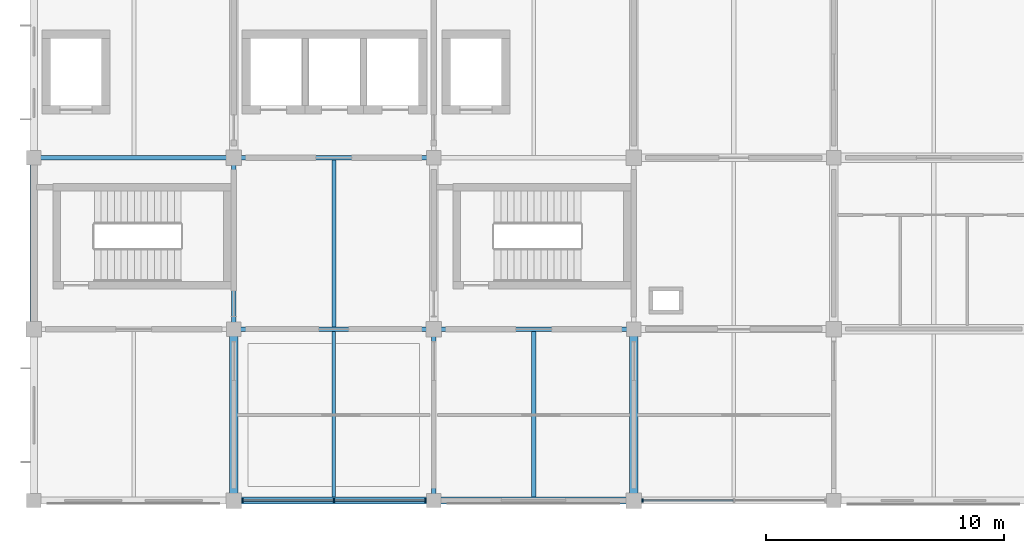
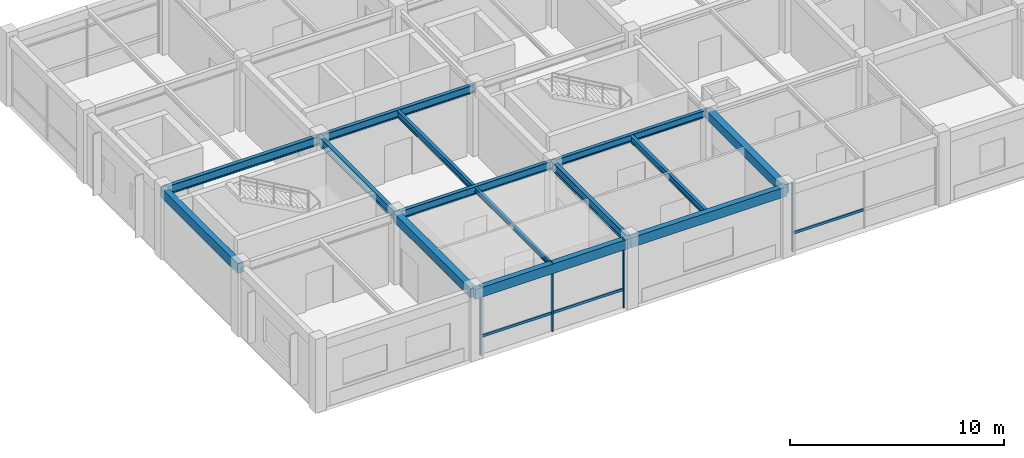
# One storey, part 2 of 13: 14 beams, 7 members, 2 elements without a shape of their own.
"""IFC4 building model written with IfcOpenShell, lengths in metres."""

from ifc_helpers import new_model, si_unit, derived_unit, direction, frame, origin, origin_2d, place, context, subcontext, project, spatial, rectangle, i_section, extrude, material, material_profile, profile_set, type_object, element, aggregate, save


model = new_model("IFC4")

# Units and contexts
model_context = context("Model", 3, precision=1e-05, world=origin(), true_north=direction((0.0, 1.0)))
body_context = subcontext(model_context, "Body", "Model", "MODEL_VIEW")
ifc_project = project(units=[si_unit("LENGTHUNIT", "METRE"), si_unit("AREAUNIT", "SQUARE_METRE"), si_unit("VOLUMEUNIT", "CUBIC_METRE"), si_unit("PLANEANGLEUNIT", "RADIAN"), si_unit("MASSUNIT", "GRAM", prefix="KILO"), derived_unit("THERMALTRANSMITTANCEUNIT", [(si_unit("MASSUNIT", "GRAM", prefix="KILO"), 1), (si_unit("TIMEUNIT", "SECOND"), -3), (si_unit("THERMODYNAMICTEMPERATUREUNIT", "KELVIN"), -1)])], contexts=[model_context])

# Site, building, storey
site_placement = place(None, origin())
site = spatial("IfcSite", under=ifc_project, at=site_placement, CompositionType="ELEMENT")
building_placement = place(site_placement, origin())
building = spatial("IfcBuilding", under=site, at=building_placement, Name="Veldstrom Oceanarium and Marine Research Institute", CompositionType="ELEMENT")
storey_placement = place(building_placement, frame((0.0, 0.0, 52.199951171875)))
storey = spatial("IfcBuildingStorey", under=building, at=storey_placement, Name="L11", CompositionType="ELEMENT", Elevation=52.199951171875)

# Curtain wall, members
ifc_material_1 = material(Name="Anodised Aluminium Framing", Category="aluminium")
curtain_wall_type = type_object("IfcCurtainWallType", Name="ARC-CW-CW04", PredefinedType="USERDEFINED", material=ifc_material_1)
curtain_wall_1_placement = place(storey_placement, origin())
curtain_wall_1 = element("IfcCurtainWall", 1, at=curtain_wall_1_placement, inside=storey, type_object=curtain_wall_type, Name="Curtain Wall CW04 CW-L11-153", ObjectType="Curtain wall", PredefinedType="USERDEFINED")
ifc_material_2 = material(Name="Anodised Aluminium Framing", Category="aluminium")
ifc_material_profile_1 = material_profile(ifc_material_2, rectangle(XDim=0.06494140625, YDim=0.14990234375, at=origin_2d()), Name="ALU-MUL-65x150")
ifc_profile_set_1 = profile_set([ifc_material_profile_1], Name="Anodised Aluminium Framing")
member_type_1 = type_object("IfcMemberType", Name="ARC-MUL-ML2", PredefinedType="MULLION", material=ifc_profile_set_1)
member_1_placement = place(storey_placement, frame((84.364990234375, 43.199951171875, 0.0), z_axis=(0.0, 0.0, 1.0), x_axis=(1.0, 0.0, 0.0)))
member_1 = element("IfcMember", 2, at=member_1_placement, type_object=member_type_1, Name="Curtain Wall Mullion CW-L11-153-MUL-1", PredefinedType="MULLION", context=body_context, shape_type="SweptSolid", body=[
    extrude(rectangle(XDim=0.06494140625, YDim=0.14990234375, at=origin_2d()), origin(), (0.0, 0.0, 1.0), 3.920166015625),
])
member_2_placement = place(storey_placement, frame((88.21240234375, 43.199951171875, 0.0), z_axis=(0.0, 0.0, 1.0), x_axis=(1.0, 0.0, 0.0)))
member_2 = element("IfcMember", 3, at=member_2_placement, type_object=member_type_1, Name="Curtain Wall Mullion CW-L11-153-MUL-2", PredefinedType="MULLION", context=body_context, shape_type="SweptSolid", body=[
    extrude(rectangle(XDim=0.06494140625, YDim=0.14990234375, at=origin_2d()), origin(), (0.0, 0.0, 1.0), 3.920166015625),
])
member_3_placement = place(storey_placement, frame((92.06005859375, 43.199951171875, 0.0), z_axis=(0.0, 0.0, 1.0), x_axis=(1.0, 0.0, 0.0)))
member_3 = element("IfcMember", 4, at=member_3_placement, type_object=member_type_1, Name="Curtain Wall Mullion CW-L11-153-MUL-3", PredefinedType="MULLION", context=body_context, shape_type="SweptSolid", body=[
    extrude(rectangle(XDim=0.06494140625, YDim=0.14990234375, at=origin_2d()), origin(), (0.0, 0.0, 1.0), 3.920166015625),
])

# Curtain wall, member
curtain_wall_2_placement = place(storey_placement, origin())
curtain_wall_2 = element("IfcCurtainWall", 5, at=curtain_wall_2_placement, inside=storey, type_object=curtain_wall_type, Name="Curtain Wall CW04 CW-L11-155", ObjectType="Curtain wall", PredefinedType="USERDEFINED")
member_4_placement = place(storey_placement, frame((101.1650390625, 43.199951171875, 0.0), z_axis=(0.0, 0.0, 1.0), x_axis=(1.0, 0.0, 0.0)))
member_4 = element("IfcMember", 6, at=member_4_placement, type_object=member_type_1, Name="Curtain Wall Mullion CW-L11-155-MUL-1", PredefinedType="MULLION", context=body_context, shape_type="SweptSolid", body=[
    extrude(rectangle(XDim=0.06494140625, YDim=0.14990234375, at=origin_2d()), origin(), (0.0, 0.0, 1.0), 3.920166015625),
])

# Member
ifc_material_3 = material(Name="Anodised Aluminium Framing", Category="aluminium")
ifc_material_profile_2 = material_profile(ifc_material_3, rectangle(XDim=0.074951171875, YDim=0.14990234375, at=origin_2d()), Name="ALU-TRN-75x150")
ifc_profile_set_2 = profile_set([ifc_material_profile_2], Name="Anodised Aluminium Framing")
member_type_2 = type_object("IfcMemberType", Name="ARC-TRN-TR1", PredefinedType="USERDEFINED", material=ifc_profile_set_2)
member_5_placement = place(storey_placement, frame((84.405029296875, 43.199951171875, 1.050048828125), z_axis=(1.0, 0.0, 0.0), x_axis=(0.0, 1.0, 0.0)))
member_5 = element("IfcMember", 7, at=member_5_placement, type_object=member_type_2, Name="Curtain Wall Transom CW-L11-153-TRN-1", ObjectType="Transom", PredefinedType="USERDEFINED", context=body_context, shape_type="SweptSolid", body=[
    extrude(rectangle(XDim=0.074951171875, YDim=0.14990234375, at=origin_2d()), origin(), (0.0, 0.0, 1.0), 3.767578125),
])

member_6_placement = place(storey_placement, frame((88.25244140625, 43.199951171875, 1.050048828125), z_axis=(1.0, 0.0, 0.0), x_axis=(0.0, 1.0, 0.0)))
member_6 = element("IfcMember", 8, at=member_6_placement, type_object=member_type_2, Name="Curtain Wall Transom CW-L11-153-TRN-2", ObjectType="Transom", PredefinedType="USERDEFINED", context=body_context, shape_type="SweptSolid", body=[
    extrude(rectangle(XDim=0.074951171875, YDim=0.14990234375, at=origin_2d()), origin(), (0.0, 0.0, 1.0), 3.767578125),
])

aggregate(curtain_wall_1, [member_1, member_2, member_3, member_5, member_6])

member_7_placement = place(storey_placement, frame((101.205078125, 43.199951171875, 1.050048828125), z_axis=(1.0, 0.0, 0.0), x_axis=(0.0, 1.0, 0.0)))
member_7 = element("IfcMember", 9, at=member_7_placement, type_object=member_type_2, Name="Curtain Wall Transom CW-L11-155-TRN-1", ObjectType="Transom", PredefinedType="USERDEFINED", context=body_context, shape_type="SweptSolid", body=[
    extrude(rectangle(XDim=0.074951171875, YDim=0.14990234375, at=origin_2d()), origin(), (0.0, 0.0, 1.0), 3.767333984375),
])

aggregate(curtain_wall_2, [member_4, member_7])

# Beams
ifc_material_4 = material(Name="Concrete C40/50", Category="concrete")
ifc_material_profile_3 = material_profile(ifc_material_4, rectangle(XDim=0.35009765625, YDim=0.5, at=origin_2d()), Name="RC-BM-350x500")
ifc_profile_set_3 = profile_set([ifc_material_profile_3], Name="Concrete C40/50")
beam_type_1 = type_object("IfcBeamType", Name="STR-BM-B08", PredefinedType="BEAM", material=ifc_profile_set_3)
for number, where, z_axis, x_axis, name in (
    (10, (84.0, 43.199951171875, 3.6650390625), (0.0, 1.0, 0.0), (-1.0, 0.0, 0.0), "Primary Beam B08 L11-2633"),
    (11, (100.800048828125, 43.199951171875, 3.6650390625), (0.0, 1.0, 0.0), (-1.0, 0.0, 0.0), "Primary Beam B08 L11-2641"),
):
    element("IfcBeam", number, at=place(storey_placement, frame(where, z_axis=z_axis, x_axis=x_axis)), inside=storey, type_object=beam_type_1, Name=name, PredefinedType="BEAM", context=body_context, shape_type="SweptSolid", body=[
        extrude(rectangle(XDim=0.35009765625, YDim=0.5, at=origin_2d()), origin(), (0.0, 0.0, 1.0), 7.199951171875),
    ])
ifc_material_5 = material(Name="Steel S355JR", Category="steel")
ifc_material_profile_4 = material_profile(ifc_material_5, i_section(OverallWidth=0.199951171875, OverallDepth=0.5, WebThickness=0.01025390625, FlangeThickness=0.01611328125, FilletRadius=0.02099609375, at=origin_2d()), Name="IPE 500")
ifc_profile_set_4 = profile_set([ifc_material_profile_4], Name="Steel S355JR")
beam_type_2 = type_object("IfcBeamType", Name="STR-BM-SB6", PredefinedType="BEAM", material=ifc_profile_set_4)
beam_1_placement = place(storey_placement, frame((75.60009765625, 57.60009765625, 3.6650390625), z_axis=(1.0, 0.0, 0.0), x_axis=(0.0, 1.0, 0.0)))
element("IfcBeam", 12, at=beam_1_placement, inside=storey, type_object=beam_type_2, Name="Steel Floor Girder SB6 L11-2607", PredefinedType="BEAM", context=body_context, shape_type="SweptSolid", body=[
    extrude(i_section(OverallWidth=0.199951171875, OverallDepth=0.5, WebThickness=0.01025390625, FlangeThickness=0.01611328125, FilletRadius=0.02099609375, at=origin_2d()), origin(), (0.0, 0.0, 1.0), 8.39990234375),
])
beam_2_placement = place(storey_placement, frame((84.0, 50.39990234375, 3.6650390625), z_axis=(0.0, 1.0, 0.0), x_axis=(-1.0, 0.0, 0.0)))
element("IfcBeam", 13, at=beam_2_placement, inside=storey, type_object=beam_type_2, Name="Steel Tie Beam SB6 L11-2634", PredefinedType="BEAM", context=body_context, shape_type="SweptSolid", body=[
    extrude(i_section(OverallWidth=0.199951171875, OverallDepth=0.5, WebThickness=0.01025390625, FlangeThickness=0.01611328125, FilletRadius=0.02099609375, at=origin_2d()), origin(), (0.0, 0.0, 1.0), 7.2001953125),
])
beam_3_placement = place(storey_placement, frame((92.39990234375, 43.199951171875, 3.6650390625), z_axis=(0.0, 1.0, 0.0), x_axis=(-1.0, 0.0, 0.0)))
element("IfcBeam", 14, at=beam_3_placement, inside=storey, type_object=beam_type_2, Name="Steel Tie Beam SB6 L11-2637", PredefinedType="BEAM", context=body_context, shape_type="SweptSolid", body=[
    extrude(i_section(OverallWidth=0.199951171875, OverallDepth=0.5, WebThickness=0.01025390625, FlangeThickness=0.01611328125, FilletRadius=0.02099609375, at=origin_2d()), origin(), (0.0, 0.0, 1.0), 7.199951171875),
])
ifc_material_6 = material(Name="Steel S355JR", Category="steel")
ifc_material_profile_5 = material_profile(ifc_material_6, i_section(OverallWidth=0.18994140625, OverallDepth=0.449951171875, WebThickness=0.009521484375, FlangeThickness=0.0146484375, FilletRadius=0.02099609375, at=origin_2d()), Name="IPE 450")
ifc_profile_set_5 = profile_set([ifc_material_profile_5], Name="Steel S355JR")
beam_type_3 = type_object("IfcBeamType", Name="STR-BM-SB7", PredefinedType="BEAM", material=ifc_profile_set_5)
for number, where, z_axis, x_axis, name in (
    (15, (84.0, 50.39990234375, 3.68994140625), (1.0, 0.0, 0.0), (0.0, 1.0, 0.0), "Steel Floor Girder SB7 L11-2611"),
    (16, (84.0, 57.60009765625, 3.68994140625), (1.0, 0.0, 0.0), (0.0, 1.0, 0.0), "Steel Floor Girder SB7 L11-2612"),
):
    element("IfcBeam", number, at=place(storey_placement, frame(where, z_axis=z_axis, x_axis=x_axis)), inside=storey, type_object=beam_type_3, Name=name, PredefinedType="BEAM", context=body_context, shape_type="SweptSolid", body=[
        extrude(i_section(OverallWidth=0.18994140625, OverallDepth=0.449951171875, WebThickness=0.009521484375, FlangeThickness=0.0146484375, FilletRadius=0.02099609375, at=origin_2d()), origin(), (0.0, 0.0, 1.0), 8.39990234375),
    ])
ifc_material_7 = material(Name="Steel S355JR", Category="steel")
ifc_material_profile_6 = material_profile(ifc_material_7, i_section(OverallWidth=0.179931640625, OverallDepth=0.39990234375, WebThickness=0.008544921875, FlangeThickness=0.013427734375, FilletRadius=0.02099609375, at=origin_2d()), Name="IPE 400")
ifc_profile_set_6 = profile_set([ifc_material_profile_6], Name="Steel S355JR")
beam_type_4 = type_object("IfcBeamType", Name="STR-BM-SB8", PredefinedType="BEAM", material=ifc_profile_set_6)
beam_4_placement = place(storey_placement, frame((92.39990234375, 50.39990234375, 3.715087890625), z_axis=(1.0, 0.0, 0.0), x_axis=(0.0, 1.0, 0.0)))
element("IfcBeam", 17, at=beam_4_placement, inside=storey, type_object=beam_type_4, Name="Steel Floor Girder SB8 L11-2616", PredefinedType="BEAM", context=body_context, shape_type="SweptSolid", body=[
    extrude(i_section(OverallWidth=0.179931640625, OverallDepth=0.39990234375, WebThickness=0.008544921875, FlangeThickness=0.013427734375, FilletRadius=0.02099609375, at=origin_2d()), origin(), (0.0, 0.0, 1.0), 8.400146484375),
])
ifc_material_8 = material(Name="Steel S355JR", Category="steel")
ifc_material_profile_7 = material_profile(ifc_material_8, i_section(OverallWidth=0.169921875, OverallDepth=0.360107421875, WebThickness=0.008056640625, FlangeThickness=0.0126953125, FilletRadius=0.01806640625, at=origin_2d()), Name="IPE 360")
ifc_profile_set_7 = profile_set([ifc_material_profile_7], Name="Steel S355JR")
beam_type_5 = type_object("IfcBeamType", Name="STR-JST-SJ1", PredefinedType="JOIST", material=ifc_profile_set_7)
beam_5_placement = place(storey_placement, frame((88.199951171875, 50.4951171875, 3.735107421875), z_axis=(0.0, 1.0, 0.0), x_axis=(-1.0, 0.0, 0.0)))
element("IfcBeam", 18, at=beam_5_placement, inside=storey, type_object=beam_type_5, Name="Secondary Joist SJ1 L11-2656", PredefinedType="JOIST", context=body_context, shape_type="SweptSolid", body=[
    extrude(i_section(OverallWidth=0.169921875, OverallDepth=0.360107421875, WebThickness=0.008056640625, FlangeThickness=0.0126953125, FilletRadius=0.01806640625, at=origin_2d()), origin(), (0.0, 0.0, 1.0), 7.009765625),
])
beam_6_placement = place(storey_placement, frame((96.60009765625, 43.35009765625, 3.735107421875), z_axis=(0.0, 1.0, 0.0), x_axis=(-1.0, 0.0, 0.0)))
element("IfcBeam", 19, at=beam_6_placement, inside=storey, type_object=beam_type_5, Name="Secondary Joist SJ1 L11-2658", PredefinedType="JOIST", context=body_context, shape_type="SweptSolid", body=[
    extrude(i_section(OverallWidth=0.169921875, OverallDepth=0.360107421875, WebThickness=0.008056640625, FlangeThickness=0.0126953125, FilletRadius=0.01806640625, at=origin_2d()), origin(), (0.0, 0.0, 1.0), 6.9599609375),
])
ifc_material_9 = material(Name="Steel S355JR", Category="steel")
ifc_material_profile_8 = material_profile(ifc_material_9, i_section(OverallWidth=0.135009765625, OverallDepth=0.27001953125, WebThickness=0.006591796875, FlangeThickness=0.01025390625, FilletRadius=0.014892578125, at=origin_2d()), Name="IPE 270")
ifc_profile_set_8 = profile_set([ifc_material_profile_8], Name="Steel S355JR")
beam_type_6 = type_object("IfcBeamType", Name="STR-JST-SJ3", PredefinedType="JOIST", material=ifc_profile_set_8)
beam_7_placement = place(storey_placement, frame((88.199951171875, 43.35009765625, 3.780029296875), z_axis=(0.0, 1.0, 0.0), x_axis=(-1.0, 0.0, 0.0)))
element("IfcBeam", 20, at=beam_7_placement, inside=storey, type_object=beam_type_6, Name="Secondary Joist SJ3 L11-2655", PredefinedType="JOIST", context=body_context, shape_type="SweptSolid", body=[
    extrude(i_section(OverallWidth=0.135009765625, OverallDepth=0.27001953125, WebThickness=0.006591796875, FlangeThickness=0.01025390625, FilletRadius=0.014892578125, at=origin_2d()), origin(), (0.0, 0.0, 1.0), 6.954833984375),
])
ifc_material_10 = material(Name="Concrete C40/50", Category="concrete")
ifc_material_profile_9 = material_profile(ifc_material_10, rectangle(XDim=0.300048828125, YDim=0.550048828125, at=origin_2d()), Name="RC-SPN-300x550")
ifc_profile_set_9 = profile_set([ifc_material_profile_9], Name="Concrete C40/50")
beam_type_7 = type_object("IfcBeamType", Name="STR-SPN-SP2", PredefinedType="SPANDREL", material=ifc_profile_set_9)
beam_8_placement = place(storey_placement, frame((84.0, 43.199951171875, 3.64013671875), z_axis=(1.0, 0.0, 0.0), x_axis=(0.0, 1.0, 0.0)))
element("IfcBeam", 21, at=beam_8_placement, inside=storey, type_object=beam_type_7, Name="Perimeter Spandrel SPB2 L11-2610", PredefinedType="SPANDREL", context=body_context, shape_type="SweptSolid", body=[
    extrude(rectangle(XDim=0.300048828125, YDim=0.550048828125, at=origin_2d()), origin(), (0.0, 0.0, 1.0), 8.39990234375),
])
beam_9_placement = place(storey_placement, frame((92.39990234375, 43.199951171875, 3.64013671875), z_axis=(1.0, 0.0, 0.0), x_axis=(0.0, 1.0, 0.0)))
element("IfcBeam", 22, at=beam_9_placement, inside=storey, type_object=beam_type_7, Name="Perimeter Spandrel SPB2 L11-2615", PredefinedType="SPANDREL", context=body_context, shape_type="SweptSolid", body=[
    extrude(rectangle(XDim=0.300048828125, YDim=0.550048828125, at=origin_2d()), origin(), (0.0, 0.0, 1.0), 8.400146484375),
])
beam_10_placement = place(storey_placement, frame((75.60009765625, 50.39990234375, 3.64013671875), z_axis=(0.0, 1.0, 0.0), x_axis=(-1.0, 0.0, 0.0)))
element("IfcBeam", 23, at=beam_10_placement, inside=storey, type_object=beam_type_7, Name="Perimeter Spandrel SPB2 L11-2630", PredefinedType="SPANDREL", context=body_context, shape_type="SweptSolid", body=[
    extrude(rectangle(XDim=0.300048828125, YDim=0.550048828125, at=origin_2d()), origin(), (0.0, 0.0, 1.0), 7.2001953125),
])

save(model, "model.ifc")
